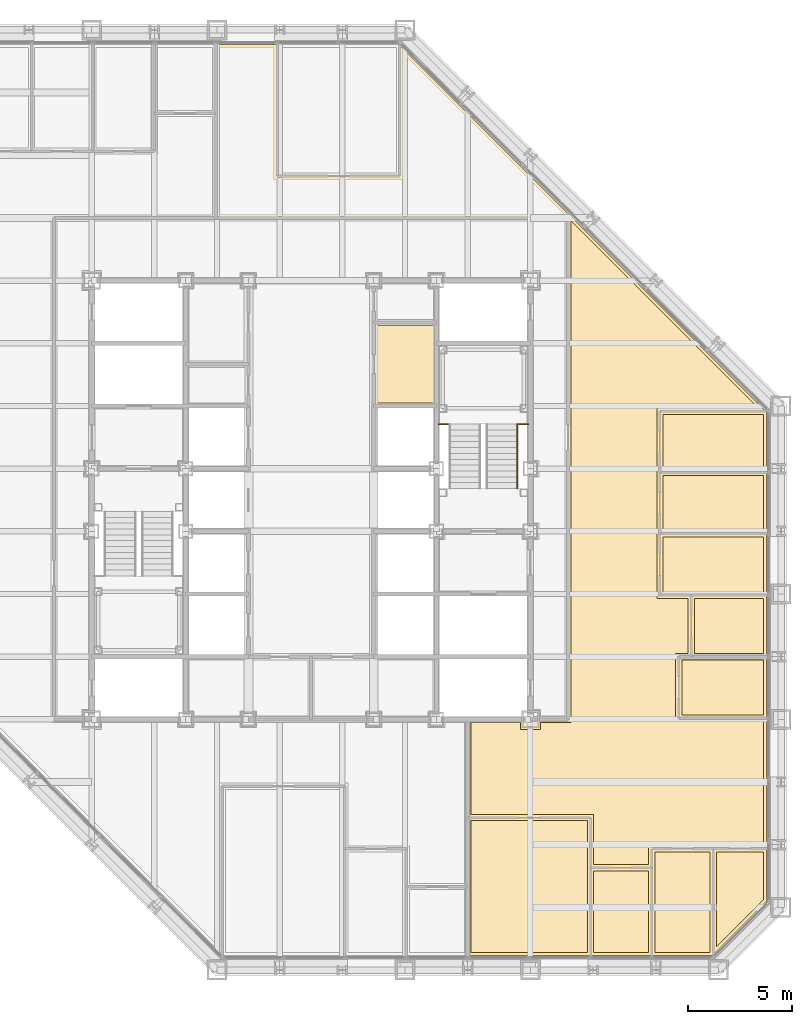
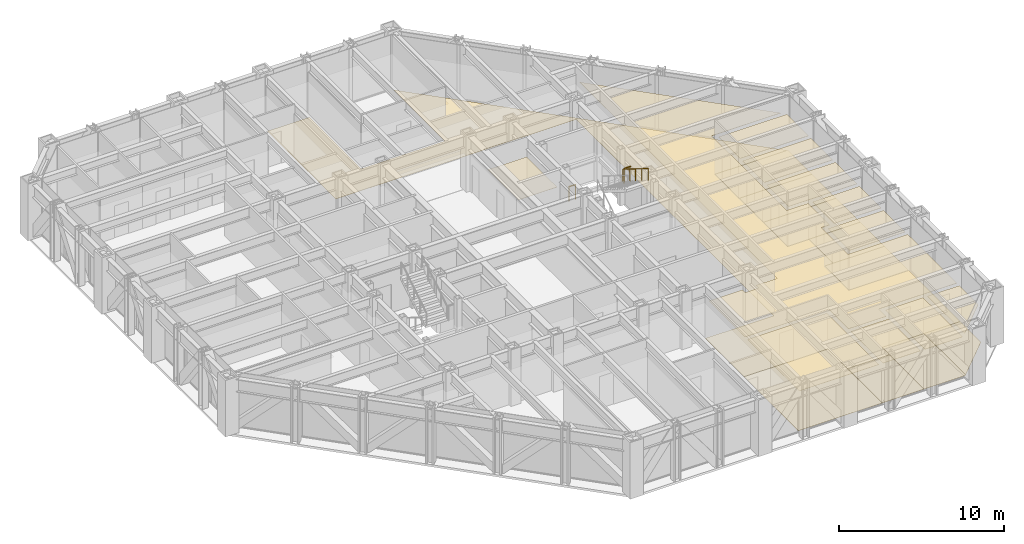
# One storey, part 15 of 16: 21 coverings, 3 railings.
"""IFC4 building model written with IfcOpenShell, lengths in metres."""

from ifc_helpers import new_model, si_unit, direction, frame, origin, origin_2d, place, context, subcontext, project, spatial, polyline, circle, outline, extrude, material, layer, layer_set, type_object, element, save


model = new_model("IFC4")

# Units and contexts
model_context = context("Model", 3, precision=1e-05, world=origin(), true_north=direction((0.0, 1.0)))
body_context = subcontext(model_context, "Body", "Model", "MODEL_VIEW")
ifc_project = project(units=[si_unit("LENGTHUNIT", "METRE"), si_unit("AREAUNIT", "SQUARE_METRE"), si_unit("VOLUMEUNIT", "CUBIC_METRE"), si_unit("PLANEANGLEUNIT", "RADIAN"), si_unit("MASSUNIT", "GRAM", prefix="KILO")], contexts=[model_context])

# Site, building, storey
site_placement = place(None, origin())
site = spatial("IfcSite", under=ifc_project, at=site_placement, CompositionType="ELEMENT")
building_placement = place(site_placement, origin())
building = spatial("IfcBuilding", under=site, at=building_placement, Name="Chuquiago Exchange Tower", CompositionType="ELEMENT")
storey_placement = place(building_placement, frame((0.0, 0.0, 127.800048828125)))
storey = spatial("IfcBuildingStorey", under=building, at=storey_placement, Name="L27", CompositionType="ELEMENT", Elevation=127.800048828125)

# Coverings
ifc_material_1 = material(Name="Mineral fibre tile, 600 x 600, on pale metal grid", Category="mineral fibre")
ifc_layer_1 = layer(ifc_material_1, 0.02001953125)
ifc_layer_set_1 = layer_set([ifc_layer_1], Name="CL1 suspended tile ceiling 20")
covering_type_1 = type_object("IfcCoveringType", Name="CL1 suspended tile ceiling 20", PredefinedType="CEILING", material=ifc_layer_set_1)
covering_1_placement = place(storey_placement, frame((0.0, 0.0, 2.800048828125)))
element("IfcCovering", 1, at=covering_1_placement, inside=storey, type_object=covering_type_1, Name="Ceiling Market data room", PredefinedType="CEILING", context=body_context, shape_type="SweptSolid", body=[
    extrude(outline(polyline([(30.14990234375, 7.14990234375), (35.7255859375, 7.14990234375), (35.7255859375, 0.85009765625), (30.14990234375, 0.85009765625), (30.14990234375, 7.14990234375)])), origin(), (0.0, 0.0, 1.0), 0.02001953125),
])
covering_2_placement = place(storey_placement, frame((0.0, 0.0, 2.800048828125)))
element("IfcCovering", 2, at=covering_2_placement, inside=storey, type_object=covering_type_1, Name="Ceiling Comms room", PredefinedType="CEILING", context=body_context, shape_type="SweptSolid", body=[
    extrude(outline(polyline([(36.025634765625, 4.75), (38.66357421875, 4.75), (38.66357421875, 0.85009765625), (36.025634765625, 0.85009765625), (36.025634765625, 4.75)])), origin(), (0.0, 0.0, 1.0), 0.02001953125),
])
covering_3_placement = place(storey_placement, frame((0.0, 0.0, 2.800048828125)))
element("IfcCovering", 3, at=covering_3_placement, inside=storey, type_object=covering_type_1, Name="Ceiling Office", PredefinedType="CEILING", context=body_context, shape_type="SweptSolid", body=[
    extrude(outline(polyline([(38.963623046875, 0.85009765625), (38.963623046875, 5.64990234375), (41.6015625, 5.64990234375), (41.6015625, 0.85009765625), (38.963623046875, 0.85009765625)])), origin(), (0.0, 0.0, 1.0), 0.02001953125),
])
covering_4_placement = place(storey_placement, frame((0.0, 0.0, 2.800048828125)))
element("IfcCovering", 4, at=covering_4_placement, inside=storey, type_object=covering_type_1, Name="Ceiling Office", PredefinedType="CEILING", context=body_context, shape_type="SweptSolid", body=[
    extrude(outline(polyline([(41.901611328125, 1.103515625), (41.901611328125, 5.64990234375), (44.14990234375, 5.64990234375), (44.14990234375, 3.35205078125), (41.901611328125, 1.103515625)])), origin(), (0.0, 0.0, 1.0), 0.02001953125),
])
covering_5_placement = place(storey_placement, frame((0.0, 0.0, 2.800048828125)))
element("IfcCovering", 5, at=covering_5_placement, inside=storey, type_object=covering_type_1, Name="Ceiling Comms room", PredefinedType="CEILING", context=body_context, shape_type="SweptSolid", body=[
    extrude(outline(polyline([(40.25, 12.212158203125), (40.25, 14.85009765625), (44.14990234375, 14.85009765625), (44.14990234375, 12.212158203125), (40.25, 12.212158203125)])), origin(), (0.0, 0.0, 1.0), 0.02001953125),
])
covering_6_placement = place(storey_placement, frame((0.0, 0.0, 2.800048828125)))
element("IfcCovering", 6, at=covering_6_placement, inside=storey, type_object=covering_type_1, Name="Ceiling Store", PredefinedType="CEILING", context=body_context, shape_type="SweptSolid", body=[
    extrude(outline(polyline([(40.85009765625, 15.14990234375), (40.85009765625, 17.787841796875), (44.14990234375, 17.787841796875), (44.14990234375, 15.14990234375), (40.85009765625, 15.14990234375)])), origin(), (0.0, 0.0, 1.0), 0.02001953125),
])
covering_7_placement = place(storey_placement, frame((0.0, 0.0, 2.800048828125)))
element("IfcCovering", 7, at=covering_7_placement, inside=storey, type_object=covering_type_1, Name="Ceiling Office", PredefinedType="CEILING", context=body_context, shape_type="SweptSolid", body=[
    extrude(outline(polyline([(39.35009765625, 18.087890625), (39.35009765625, 20.7255859375), (44.14990234375, 20.7255859375), (44.14990234375, 18.087890625), (39.35009765625, 18.087890625)])), origin(), (0.0, 0.0, 1.0), 0.02001953125),
])
covering_8_placement = place(storey_placement, frame((0.0, 0.0, 2.800048828125)))
element("IfcCovering", 8, at=covering_8_placement, inside=storey, type_object=covering_type_1, Name="Ceiling Office", PredefinedType="CEILING", context=body_context, shape_type="SweptSolid", body=[
    extrude(outline(polyline([(39.35009765625, 21.025634765625), (39.35009765625, 23.66357421875), (44.14990234375, 23.66357421875), (44.14990234375, 21.025634765625), (39.35009765625, 21.025634765625)])), origin(), (0.0, 0.0, 1.0), 0.02001953125),
])
covering_9_placement = place(storey_placement, frame((0.0, 0.0, 2.800048828125)))
element("IfcCovering", 9, at=covering_9_placement, inside=storey, type_object=covering_type_1, Name="Ceiling Office", PredefinedType="CEILING", context=body_context, shape_type="SweptSolid", body=[
    extrude(outline(polyline([(44.14990234375, 23.963623046875), (39.35009765625, 23.963623046875), (39.35009765625, 26.6015625), (44.14990234375, 26.6015625), (44.14990234375, 23.963623046875)])), origin(), (0.0, 0.0, 1.0), 0.02001953125),
])
covering_10_placement = place(storey_placement, frame((0.0, 0.0, 2.800048828125)))
element("IfcCovering", 10, at=covering_10_placement, inside=storey, type_object=covering_type_1, Name="Ceiling Open office east suite", PredefinedType="CEILING", context=body_context, shape_type="SweptSolid", body=[
    extrude(outline(polyline([(43.896484375, 26.901611328125), (39.050048828125, 26.901611328125), (39.050048828125, 17.787841796875), (40.550048828125, 17.787841796875), (40.550048828125, 15.14990234375), (39.949951171875, 15.14990234375), (39.949951171875, 11.912109375), (44.14990234375, 11.912109375), (44.14990234375, 5.949951171875), (38.66357421875, 5.949951171875), (38.66357421875, 5.050048828125), (36.025634765625, 5.050048828125), (36.025634765625, 7.449951171875), (30.150390625, 7.449951171875), (30.150390625, 11.85009765625), (32.52490234375, 11.849853515625), (32.52490234375, 11.52490234375), (33.47509765625, 11.52490234375), (33.47509765625, 11.849853515625), (34.950439453125, 11.849853515625), (34.950439453125, 35.847412109375), (43.896484375, 26.901611328125)])), origin(), (0.0, 0.0, 1.0), 0.02001953125),
])
ifc_material_2 = material(Name="Moisture resistant plasterboard on metal frame", Category="gypsum")
ifc_layer_2 = layer(ifc_material_2, 0.014892578125)
ifc_layer_set_2 = layer_set([ifc_layer_2], Name="CL2 moisture resistant ceiling 15")
covering_type_2 = type_object("IfcCoveringType", Name="CL2 moisture resistant ceiling 15", PredefinedType="CEILING", material=ifc_layer_set_2)
covering_11_placement = place(storey_placement, frame((0.0, 0.0, 2.599853515625)))
element("IfcCovering", 11, at=covering_11_placement, inside=storey, type_object=covering_type_2, Name="Ceiling Female WC", PredefinedType="CEILING", context=body_context, shape_type="SweptSolid", body=[
    extrude(outline(polyline([(25.64990234375, 27.14990234375), (25.64990234375, 30.85009765625), (28.35009765625, 30.85009765625), (28.35009765625, 27.14990234375), (25.64990234375, 27.14990234375)])), origin(), (0.0, 0.0, 1.0), 0.01513671875),
])
ifc_material_3 = material(Name="Carpet tile, 500 x 500, on the floor slab", Category="textile")
ifc_layer_3 = layer(ifc_material_3, 0.010009765625)
ifc_layer_set_3 = layer_set([ifc_layer_3], Name="FL1 carpet tile 10")
covering_type_3 = type_object("IfcCoveringType", Name="FL1 carpet tile 10", PredefinedType="FLOORING", material=ifc_layer_set_3)
covering_12_placement = place(storey_placement, origin())
element("IfcCovering", 12, at=covering_12_placement, inside=storey, type_object=covering_type_3, Name="Floor finish Market data room", PredefinedType="FLOORING", context=body_context, shape_type="SweptSolid", body=[
    extrude(outline(polyline([(30.0, 0.699951171875), (30.0, 7.300048828125), (35.875732421875, 7.300048828125), (35.875732421875, 0.699951171875), (30.0, 0.699951171875)])), origin(), (0.0, 0.0, 1.0), 0.010009765625),
])
covering_13_placement = place(storey_placement, origin())
element("IfcCovering", 13, at=covering_13_placement, inside=storey, type_object=covering_type_3, Name="Floor finish Office", PredefinedType="FLOORING", context=body_context, shape_type="SweptSolid", body=[
    extrude(outline(polyline([(41.710205078125, 0.699951171875), (38.813720703125, 0.699951171875), (38.813720703125, 5.800048828125), (41.75146484375, 5.800048828125), (41.75146484375, 0.741455078125), (41.710205078125, 0.699951171875)])), origin(), (0.0, 0.0, 1.0), 0.010009765625),
])
covering_14_placement = place(storey_placement, origin())
element("IfcCovering", 14, at=covering_14_placement, inside=storey, type_object=covering_type_3, Name="Floor finish Office", PredefinedType="FLOORING", context=body_context, shape_type="SweptSolid", body=[
    extrude(outline(polyline([(44.300048828125, 3.289794921875), (41.75146484375, 0.741455078125), (41.75146484375, 5.800048828125), (44.300048828125, 5.800048828125), (44.300048828125, 3.289794921875)])), origin(), (0.0, 0.0, 1.0), 0.010009765625),
])
covering_15_placement = place(storey_placement, origin())
element("IfcCovering", 15, at=covering_15_placement, inside=storey, type_object=covering_type_3, Name="Floor finish Office", PredefinedType="FLOORING", context=body_context, shape_type="SweptSolid", body=[
    extrude(outline(polyline([(44.300048828125, 17.93798828125), (39.199951171875, 17.93798828125), (39.199951171875, 20.875732421875), (44.300048828125, 20.875732421875), (44.300048828125, 17.93798828125)])), origin(), (0.0, 0.0, 1.0), 0.010009765625),
])
covering_16_placement = place(storey_placement, origin())
element("IfcCovering", 16, at=covering_16_placement, inside=storey, type_object=covering_type_3, Name="Floor finish Office", PredefinedType="FLOORING", context=body_context, shape_type="SweptSolid", body=[
    extrude(outline(polyline([(44.300048828125, 20.875732421875), (39.199951171875, 20.875732421875), (39.199951171875, 23.813720703125), (44.300048828125, 23.813720703125), (44.300048828125, 20.875732421875)])), origin(), (0.0, 0.0, 1.0), 0.010009765625),
])
covering_17_placement = place(storey_placement, origin())
element("IfcCovering", 17, at=covering_17_placement, inside=storey, type_object=covering_type_3, Name="Floor finish Office", PredefinedType="FLOORING", context=body_context, shape_type="SweptSolid", body=[
    extrude(outline(polyline([(44.300048828125, 26.710205078125), (44.300048828125, 23.813720703125), (39.199951171875, 23.813720703125), (39.199951171875, 26.75146484375), (44.258544921875, 26.75146484375), (44.300048828125, 26.710205078125)])), origin(), (0.0, 0.0, 1.0), 0.010009765625),
])
covering_18_placement = place(storey_placement, origin())
element("IfcCovering", 18, at=covering_18_placement, inside=storey, type_object=covering_type_3, Name="Floor finish Open office east suite", PredefinedType="FLOORING", context=body_context, shape_type="SweptSolid", body=[
    extrude(outline(polyline([(20.875732421875, 44.300048828125), (20.875732421875, 38.0), (26.75146484375, 38.0), (26.75146484375, 44.258544921875), (44.258544921875, 26.75146484375), (39.199951171875, 26.75146484375), (39.199951171875, 17.93798828125), (40.699951171875, 17.93798828125), (40.699951171875, 15.0), (40.10009765625, 15.0), (40.10009765625, 12.06201171875), (44.300048828125, 12.06201171875), (44.300048828125, 5.800048828125), (38.813720703125, 5.800048828125), (38.813720703125, 4.89990234375), (35.875732421875, 4.89990234375), (35.875732421875, 7.300048828125), (30.00048828125, 7.300048828125), (30.00048828125, 12.0), (34.800537109375, 12.0), (34.800537109375, 36.0), (17.9384765625, 36.00048828125), (17.9384765625, 44.300048828125), (20.875732421875, 44.300048828125)])), origin(), (0.0, 0.0, 1.0), 0.010009765625),
])
ifc_material_4 = material(Name="Porcelain floor tile, 600 x 600, on adhesive bed", Category="ceramic")
ifc_layer_4 = layer(ifc_material_4, 0.014892578125)
ifc_layer_set_4 = layer_set([ifc_layer_4], Name="FL2 porcelain tile 15")
covering_type_4 = type_object("IfcCoveringType", Name="FL2 porcelain tile 15", PredefinedType="FLOORING", material=ifc_layer_set_4)
covering_19_placement = place(storey_placement, origin())
element("IfcCovering", 19, at=covering_19_placement, inside=storey, type_object=covering_type_4, Name="Floor finish Comms room", PredefinedType="FLOORING", context=body_context, shape_type="SweptSolid", body=[
    extrude(outline(polyline([(35.875732421875, 0.699951171875), (35.875732421875, 4.89990234375), (38.813720703125, 4.89990234375), (38.813720703125, 0.699951171875), (35.875732421875, 0.699951171875)])), origin(), (0.0, 0.0, 1.0), 0.014892578125),
])
covering_20_placement = place(storey_placement, origin())
element("IfcCovering", 20, at=covering_20_placement, inside=storey, type_object=covering_type_4, Name="Floor finish Comms room", PredefinedType="FLOORING", context=body_context, shape_type="SweptSolid", body=[
    extrude(outline(polyline([(44.300048828125, 12.06201171875), (40.10009765625, 12.06201171875), (40.10009765625, 15.0), (44.300048828125, 15.0), (44.300048828125, 12.06201171875)])), origin(), (0.0, 0.0, 1.0), 0.014892578125),
])
covering_21_placement = place(storey_placement, origin())
element("IfcCovering", 21, at=covering_21_placement, inside=storey, type_object=covering_type_4, Name="Floor finish Store", PredefinedType="FLOORING", context=body_context, shape_type="SweptSolid", body=[
    extrude(outline(polyline([(44.300048828125, 15.0), (40.699951171875, 15.0), (40.699951171875, 17.93798828125), (44.300048828125, 17.93798828125), (44.300048828125, 15.0)])), origin(), (0.0, 0.0, 1.0), 0.014892578125),
])

# Railings
ifc_material_5 = material(Name="Pale metal guard with safety glass infill", Category="glass")
railing_type_1 = type_object("IfcRailingType", Name="GR1 guard 1100", PredefinedType="GUARDRAIL", material=ifc_material_5)
for number, where, name in (
    (22, (28.60009765625, 26.1298828125, 2.099853515625), "Guard ST2 L27 landing 2"),
    (23, (32.445068359375, 26.1298828125, 2.099853515625), "Guard ST2 L27 landing 2"),
):
    element("IfcRailing", number, at=place(storey_placement, frame(where)), inside=storey, type_object=railing_type_1, Name=name, PredefinedType="GUARDRAIL", context=body_context, shape_type="SweptSolid", body=[
        extrude(circle(Radius=0.02392578125, at=origin_2d()), frame((0.0, 0.0, 1.076171875), z_axis=(1.0, 0.0, 0.0), x_axis=(0.0, 1.0, 0.0)), (0.0, 0.0, 1.0), 0.454833984375),
        extrude(circle(Radius=0.02099609375, at=origin_2d()), origin(), (0.0, 0.0, 1.0), 1.052001953125),
        extrude(circle(Radius=0.02099609375, at=origin_2d()), frame((0.454833984375, 0.0, 0.0)), (0.0, 0.0, 1.0), 1.052001953125),
    ])
ifc_material_6 = material(Name="Pale metal handrail", Category="steel")
railing_type_2 = type_object("IfcRailingType", Name="HR1 handrail 900", PredefinedType="HANDRAIL", material=ifc_material_6)
railing_placement = place(storey_placement, frame((32.364990234375, 26.1298828125, 2.27490234375)))
element("IfcRailing", 24, at=railing_placement, inside=storey, type_object=railing_type_2, Name="Handrail ST2 L27 flight 2", PredefinedType="HANDRAIL", context=body_context, shape_type="SweptSolid", body=[
    extrude(circle(Radius=0.02392578125, at=origin_2d()), frame((0.0, 0.0, 0.8759765625), z_axis=(0.0, -0.847979421464, 0.530029150871), x_axis=(1.0, 0.0, 0.0)), (0.0, 0.0, 1.0), 3.632080078125),
    extrude(circle(Radius=0.02099609375, at=origin_2d()), origin(), (0.0, 0.0, 1.0), 0.851806640625),
    extrude(circle(Radius=0.02099609375, at=origin_2d()), frame((0.0, -0.77001953125, 0.481201171875)), (0.0, 0.0, 1.0), 0.851806640625),
    extrude(circle(Radius=0.02099609375, at=origin_2d()), frame((0.0, -1.5400390625, 0.96240234375)), (0.0, 0.0, 1.0), 0.851806640625),
    extrude(circle(Radius=0.02099609375, at=origin_2d()), frame((0.0, -2.309814453125, 1.44384765625)), (0.0, 0.0, 1.0), 0.851806640625),
    extrude(circle(Radius=0.02099609375, at=origin_2d()), frame((0.0, -3.079833984375, 1.925048828125)), (0.0, 0.0, 1.0), 0.851806640625),
])

save(model, "model.ifc")
